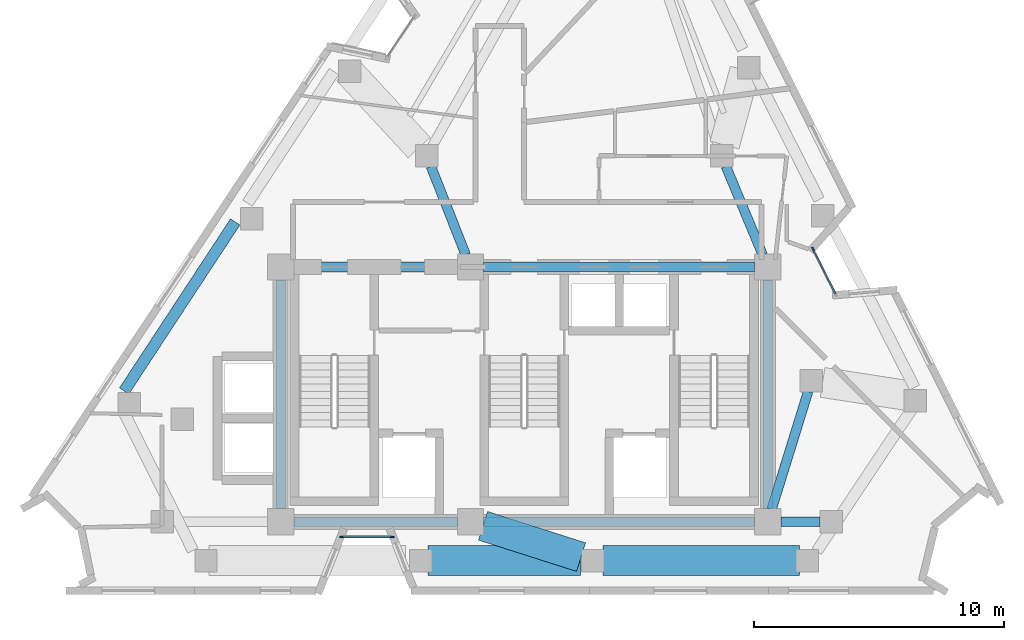
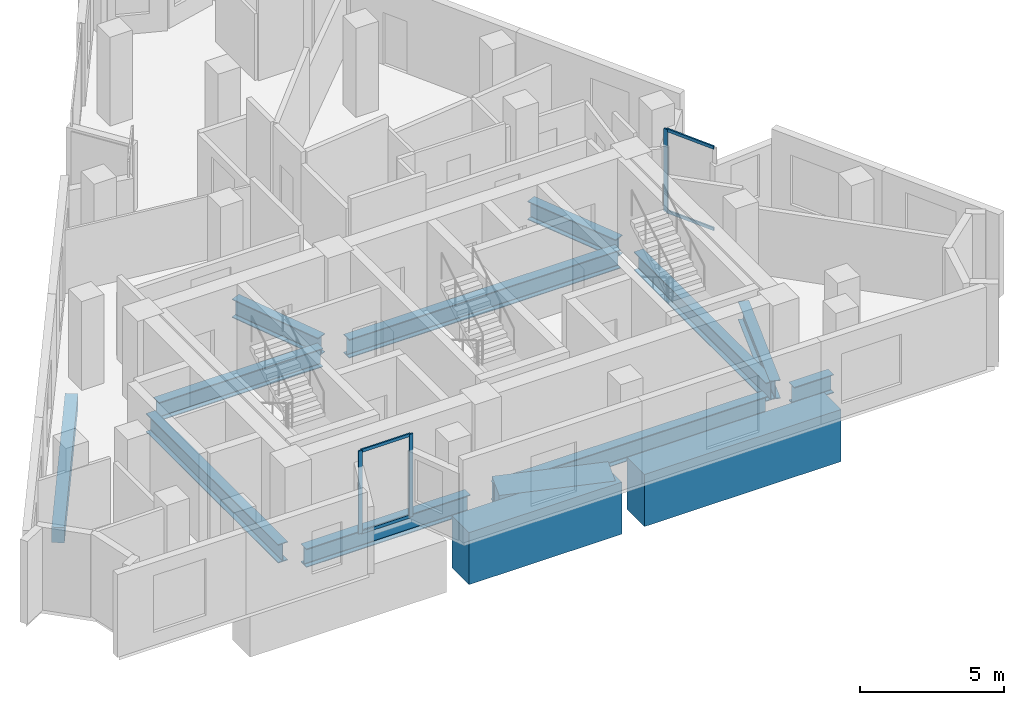
# One storey, part 2 of 9: 14 beams, 7 members, 2 elements without a shape of their own.
"""IFC4 building model written with IfcOpenShell, lengths in metres."""

from ifc_helpers import new_model, si_unit, direction, frame, origin, origin_2d, place, context, subcontext, project, spatial, rectangle, i_section, extrude, material, layer, layer_set, material_profile, profile_set, type_object, element, aggregate, save


model = new_model("IFC4")

# Units and contexts
model_context = context("Model", 3, precision=1e-05, world=origin(), true_north=direction((0.0, 1.0)))
body_context = subcontext(model_context, "Body", "Model", "MODEL_VIEW")
ifc_project = project(units=[si_unit("LENGTHUNIT", "METRE"), si_unit("AREAUNIT", "SQUARE_METRE"), si_unit("VOLUMEUNIT", "CUBIC_METRE"), si_unit("PLANEANGLEUNIT", "RADIAN"), si_unit("MASSUNIT", "GRAM", prefix="KILO")], contexts=[model_context])

# Site, building, storey
site_placement = place(None, origin())
site = spatial("IfcSite", under=ifc_project, at=site_placement, CompositionType="ELEMENT")
building_placement = place(site_placement, origin())
building = spatial("IfcBuilding", under=site, at=building_placement, Name="Almagre Mirador Tower", CompositionType="ELEMENT")
storey_placement = place(building_placement, frame((0.0, 0.0, 252.0)))
storey = spatial("IfcBuildingStorey", under=building, at=storey_placement, Name="L65", CompositionType="ELEMENT", Elevation=252.0)

# Beams
ifc_material_1 = material(Name="Precast concrete C50/60", Category="concrete")
ifc_material_profile_1 = material_profile(ifc_material_1, rectangle(XDim=0.449951171875, YDim=0.64990234375, at=origin_2d()), Name="RC450X650")
ifc_profile_set_1 = profile_set([ifc_material_profile_1], Name="Precast concrete C50/60")
beam_type_1 = type_object("IfcBeamType", Name="BM-SPN-RC450X650", PredefinedType="SPANDREL", material=ifc_profile_set_1)
beam_1_placement = place(storey_placement, frame((25.72998046875, 16.556884765625, -0.574951171875), z_axis=(-0.54903769876, -0.835797586345, 0.0), x_axis=(0.835797586345, -0.54903769876, 0.0)))
element("IfcBeam", 1, at=beam_1_placement, inside=storey, type_object=beam_type_1, Name="L65 perimeter spandrel beam PC11-PC12", PredefinedType="SPANDREL", context=body_context, shape_type="SweptSolid", body=[
    extrude(rectangle(XDim=0.449951171875, YDim=0.64990234375, at=origin_2d()), origin(), (0.0, 0.0, 1.0), 8.097412109375),
])
ifc_material_2 = material(Name="Steel ASTM A992 Grade 50", Category="steel")
ifc_material_profile_2 = material_profile(ifc_material_2, i_section(OverallWidth=0.384033203125, OverallDepth=0.784912109375, WebThickness=0.019775390625, FlangeThickness=0.033447265625, FilletRadius=0.02392578125, at=origin_2d()), Name="W30X211")
ifc_profile_set_2 = profile_set([ifc_material_profile_2], Name="Steel ASTM A992 Grade 50")
beam_type_2 = type_object("IfcBeamType", Name="BM-STL-W30X211", PredefinedType="BEAM", material=ifc_profile_set_2)
beam_2_placement = place(storey_placement, frame((28.074951171875, 4.550048828125, -0.642578125), z_axis=(1.0, 0.0, 0.0), x_axis=(0.0, 1.0, 0.0)))
element("IfcBeam", 2, at=beam_2_placement, inside=storey, type_object=beam_type_2, Name="L65 core tie girder CC1-CC2", PredefinedType="BEAM", context=body_context, shape_type="SweptSolid", body=[
    extrude(i_section(OverallWidth=0.384033203125, OverallDepth=0.784912109375, WebThickness=0.019775390625, FlangeThickness=0.033447265625, FilletRadius=0.02392578125, at=origin_2d()), origin(), (0.0, 0.0, 1.0), 6.550048828125),
])
beam_3_placement = place(storey_placement, frame((35.675048828125, 4.550048828125, -0.642578125), z_axis=(1.0, 0.0, 0.0), x_axis=(0.0, 1.0, 0.0)))
element("IfcBeam", 3, at=beam_3_placement, inside=storey, type_object=beam_type_2, Name="L65 core tie girder CC2-CC3", PredefinedType="BEAM", context=body_context, shape_type="SweptSolid", body=[
    extrude(i_section(OverallWidth=0.384033203125, OverallDepth=0.784912109375, WebThickness=0.019775390625, FlangeThickness=0.033447265625, FilletRadius=0.02392578125, at=origin_2d()), origin(), (0.0, 0.0, 1.0), 10.849853515625),
])
beam_4_placement = place(storey_placement, frame((28.074951171875, 14.75, -0.642578125), z_axis=(1.0, 0.0, 0.0), x_axis=(0.0, 1.0, 0.0)))
element("IfcBeam", 4, at=beam_4_placement, inside=storey, type_object=beam_type_2, Name="L65 core tie girder CC4-CC5", PredefinedType="BEAM", context=body_context, shape_type="SweptSolid", body=[
    extrude(i_section(OverallWidth=0.384033203125, OverallDepth=0.784912109375, WebThickness=0.019775390625, FlangeThickness=0.033447265625, FilletRadius=0.02392578125, at=origin_2d()), origin(), (0.0, 0.0, 1.0), 6.550048828125),
])
beam_5_placement = place(storey_placement, frame((35.675048828125, 14.75, -0.642578125), z_axis=(1.0, 0.0, 0.0), x_axis=(0.0, 1.0, 0.0)))
element("IfcBeam", 5, at=beam_5_placement, inside=storey, type_object=beam_type_2, Name="L65 core tie girder CC5-CC6", PredefinedType="BEAM", context=body_context, shape_type="SweptSolid", body=[
    extrude(i_section(OverallWidth=0.384033203125, OverallDepth=0.784912109375, WebThickness=0.019775390625, FlangeThickness=0.033447265625, FilletRadius=0.02392578125, at=origin_2d()), origin(), (0.0, 0.0, 1.0), 10.849853515625),
])
for number, where, z_axis, x_axis, name in (
    (6, (27.550048828125, 5.074951171875, -0.642578125), (0.0, 1.0, 0.0), (-1.0, 0.0, 0.0), "L65 core tie girder CC1-CC4"),
    (7, (47.050048828125, 5.074951171875, -0.642578125), (0.0, 1.0, 0.0), (-1.0, 0.0, 0.0), "L65 core tie girder CC3-CC6"),
):
    element("IfcBeam", number, at=place(storey_placement, frame(where, z_axis=z_axis, x_axis=x_axis)), inside=storey, type_object=beam_type_2, Name=name, PredefinedType="BEAM", context=body_context, shape_type="SweptSolid", body=[
        extrude(i_section(OverallWidth=0.384033203125, OverallDepth=0.784912109375, WebThickness=0.019775390625, FlangeThickness=0.033447265625, FilletRadius=0.02392578125, at=origin_2d()), origin(), (0.0, 0.0, 1.0), 9.150146484375),
    ])
beam_6_placement = place(storey_placement, frame((49.14990234375, 4.550048828125, -0.642578125), z_axis=(-1.0, 0.0, 0.0), x_axis=(0.0, -1.0, 0.0)))
element("IfcBeam", 8, at=beam_6_placement, inside=storey, type_object=beam_type_2, Name="L65 core tie girder MC2-CC3", PredefinedType="BEAM", context=body_context, shape_type="SweptSolid", body=[
    extrude(i_section(OverallWidth=0.384033203125, OverallDepth=0.784912109375, WebThickness=0.019775390625, FlangeThickness=0.033447265625, FilletRadius=0.02392578125, at=origin_2d()), origin(), (0.0, 0.0, 1.0), 1.574951171875),
])
beam_7_placement = place(storey_placement, frame((48.6669921875, 9.77001953125, -0.642578125), z_axis=(-0.295901717967, -0.955218390372, 0.0), x_axis=(0.955218390372, -0.295901717967, 0.0)))
element("IfcBeam", 9, at=beam_7_placement, inside=storey, type_object=beam_type_2, Name="L65 core tie girder MC3-CC3", PredefinedType="BEAM", context=body_context, shape_type="SweptSolid", body=[
    extrude(i_section(OverallWidth=0.384033203125, OverallDepth=0.784912109375, WebThickness=0.019775390625, FlangeThickness=0.033447265625, FilletRadius=0.02392578125, at=origin_2d()), origin(), (0.0, 0.0, 1.0), 4.939697265625),
])
beam_8_placement = place(storey_placement, frame((45.372802734375, 18.784423828125, -0.642578125), z_axis=(0.383862140668, -0.923390414159, 0.0), x_axis=(0.923390414159, 0.383862140668, 0.0)))
element("IfcBeam", 10, at=beam_8_placement, inside=storey, type_object=beam_type_2, Name="L65 core tie girder MC5-CC6", PredefinedType="BEAM", context=body_context, shape_type="SweptSolid", body=[
    extrude(i_section(OverallWidth=0.384033203125, OverallDepth=0.784912109375, WebThickness=0.019775390625, FlangeThickness=0.033447265625, FilletRadius=0.02392578125, at=origin_2d()), origin(), (0.0, 0.0, 1.0), 3.843994140625),
])
beam_9_placement = place(storey_placement, frame((33.564697265625, 18.78125, -0.642578125), z_axis=(0.365999579355, -0.93061501595, 0.0), x_axis=(0.93061501595, 0.365999579355, 0.0)))
element("IfcBeam", 11, at=beam_9_placement, inside=storey, type_object=beam_type_2, Name="L65 core tie girder MC8-CC5", PredefinedType="BEAM", context=body_context, shape_type="SweptSolid", body=[
    extrude(i_section(OverallWidth=0.384033203125, OverallDepth=0.784912109375, WebThickness=0.019775390625, FlangeThickness=0.033447265625, FilletRadius=0.02392578125, at=origin_2d()), origin(), (0.0, 0.0, 1.0), 3.806884765625),
])
ifc_material_3 = material(Name="Concrete C60/75", Category="concrete")
ifc_material_profile_3 = material_profile(ifc_material_3, rectangle(XDim=1.199951171875, YDim=2.199951171875, at=origin_2d()), Name="RC1200X2200")
ifc_profile_set_3 = profile_set([ifc_material_profile_3], Name="Concrete C60/75")
beam_type_3 = type_object("IfcBeamType", Name="BM-XFER-RC1200X2200", PredefinedType="BEAM", material=ifc_profile_set_3)
beam_10_placement = place(storey_placement, frame((33.446044921875, 3.0, -1.35009765625), z_axis=(1.0, 0.0, 0.0), x_axis=(0.0, 1.0, 0.0)))
element("IfcBeam", 12, at=beam_10_placement, inside=storey, type_object=beam_type_3, Name="L65 perimeter spandrel beam PC02-PC03", PredefinedType="BEAM", context=body_context, shape_type="SweptSolid", body=[
    extrude(rectangle(XDim=1.199951171875, YDim=2.199951171875, at=origin_2d()), origin(), (0.0, 0.0, 1.0), 6.10791015625),
])
beam_11_placement = place(storey_placement, frame((40.4541015625, 3.0, -1.35009765625), z_axis=(1.0, 0.0, 0.0), x_axis=(0.0, 1.0, 0.0)))
element("IfcBeam", 13, at=beam_11_placement, inside=storey, type_object=beam_type_3, Name="L65 perimeter spandrel beam PC03-PC04", PredefinedType="BEAM", context=body_context, shape_type="SweptSolid", body=[
    extrude(rectangle(XDim=1.199951171875, YDim=2.199951171875, at=origin_2d()), origin(), (0.0, 0.0, 1.0), 7.85986328125),
])
beam_12_placement = place(storey_placement, frame((39.5751953125, 3.136962890625, -1.35009765625), z_axis=(-0.952606979741, 0.304203783914, 0.0), x_axis=(-0.304203783914, -0.952606979741, 0.0)))
element("IfcBeam", 14, at=beam_12_placement, inside=storey, type_object=beam_type_3, Name="L65 radial transfer girder PC03-CC2", PredefinedType="BEAM", context=body_context, shape_type="SweptSolid", body=[
    extrude(rectangle(XDim=1.199951171875, YDim=2.199951171875, at=origin_2d()), origin(), (0.0, 0.0, 1.0), 4.120361328125),
])

# Curtain wall, member
ifc_material_4 = material(Name="Black anodized aluminium", Category="aluminium")
ifc_layer = layer(ifc_material_4, 0.169921875)
ifc_layer_set = layer_set([ifc_layer], Name="Black anodized aluminium")
curtain_wall_type = type_object("IfcCurtainWallType", Name="CW-CRS-SYS", PredefinedType="NOTDEFINED", material=ifc_layer_set)
curtain_wall_1_placement = place(storey_placement, origin())
curtain_wall_1 = element("IfcCurtainWall", 15, at=curtain_wall_1_placement, inside=storey, type_object=curtain_wall_type, Name="L65 vertical crease curtain wall 03", PredefinedType="NOTDEFINED")
ifc_material_5 = material(Name="Black anodized aluminium", Category="aluminium")
ifc_material_profile_4 = material_profile(ifc_material_5, rectangle(XDim=0.06005859375, YDim=0.14990234375, at=origin_2d()), Name="CWM60X150")
ifc_profile_set_4 = profile_set([ifc_material_profile_4], Name="Black anodized aluminium")
member_type_1 = type_object("IfcMemberType", Name="MBR-CWM60X150", PredefinedType="MULLION", material=ifc_profile_set_4)
member_1_placement = place(storey_placement, frame((48.8603515625, 15.47119140625, 0.0), z_axis=(0.0, 0.0, 1.0), x_axis=(0.894331468918, 0.447404988464, 0.0)))
member_1 = element("IfcMember", 16, at=member_1_placement, type_object=member_type_1, Name="CW-4 mullion 1", PredefinedType="MULLION", context=body_context, shape_type="SweptSolid", body=[
    extrude(rectangle(XDim=0.06005859375, YDim=0.14990234375, at=origin_2d()), origin(), (0.0, 0.0, 1.0), 3.5),
])

# Curtain wall, members
curtain_wall_2_placement = place(storey_placement, origin())
curtain_wall_2 = element("IfcCurtainWall", 17, at=curtain_wall_2_placement, inside=storey, type_object=curtain_wall_type, Name="L65 vertical crease curtain wall 04", PredefinedType="NOTDEFINED")
member_2_placement = place(storey_placement, frame((32.014892578125, 3.949951171875, 0.0), z_axis=(0.0, 0.0, 1.0), x_axis=(0.0, -1.0, 0.0)))
member_2 = element("IfcMember", 18, at=member_2_placement, type_object=member_type_1, Name="CW-4 mullion 1", PredefinedType="MULLION", context=body_context, shape_type="SweptSolid", body=[
    extrude(rectangle(XDim=0.06005859375, YDim=0.14990234375, at=origin_2d()), origin(), (0.0, 0.0, 1.0), 3.5),
])
member_3_placement = place(storey_placement, frame((29.985107421875, 3.949951171875, 0.0), z_axis=(0.0, 0.0, 1.0), x_axis=(0.0, -1.0, 0.0)))
member_3 = element("IfcMember", 19, at=member_3_placement, type_object=member_type_1, Name="CW-4 mullion 2", PredefinedType="MULLION", context=body_context, shape_type="SweptSolid", body=[
    extrude(rectangle(XDim=0.06005859375, YDim=0.14990234375, at=origin_2d()), origin(), (0.0, 0.0, 1.0), 3.5),
])

# Member
ifc_material_6 = material(Name="Black anodized aluminium", Category="aluminium")
ifc_material_profile_5 = material_profile(ifc_material_6, rectangle(XDim=0.06005859375, YDim=0.1298828125, at=origin_2d()), Name="CWT60X130")
ifc_profile_set_5 = profile_set([ifc_material_profile_5], Name="Black anodized aluminium")
member_type_2 = type_object("IfcMemberType", Name="MBR-CWT60X130", PredefinedType="USERDEFINED", material=ifc_profile_set_5)
member_4_placement = place(storey_placement, frame((48.873779296875, 15.4443359375, 0.030029296875), z_axis=(0.447411883405, -0.89432801957, 0.0), x_axis=(0.89432801957, 0.447411883405, 0.0)))
member_4 = element("IfcMember", 20, at=member_4_placement, type_object=member_type_2, Name="CW-4 transom 1.1", ObjectType="TRANSOM", PredefinedType="USERDEFINED", context=body_context, shape_type="SweptSolid", body=[
    extrude(rectangle(XDim=0.06005859375, YDim=0.1298828125, at=origin_2d()), origin(), (0.0, 0.0, 1.0), 1.969970703125),
])

member_5_placement = place(storey_placement, frame((48.873779296875, 15.4443359375, 3.469970703125), z_axis=(0.447411883405, -0.89432801957, 0.0), x_axis=(0.89432801957, 0.447411883405, 0.0)))
member_5 = element("IfcMember", 21, at=member_5_placement, type_object=member_type_2, Name="CW-4 transom 1.2", ObjectType="TRANSOM", PredefinedType="USERDEFINED", context=body_context, shape_type="SweptSolid", body=[
    extrude(rectangle(XDim=0.06005859375, YDim=0.1298828125, at=origin_2d()), origin(), (0.0, 0.0, 1.0), 1.969970703125),
])

aggregate(curtain_wall_1, [member_1, member_4, member_5])

member_6_placement = place(storey_placement, frame((31.985107421875, 3.949951171875, 0.030029296875), z_axis=(-1.0, 0.0, 0.0), x_axis=(0.0, -1.0, 0.0)))
member_6 = element("IfcMember", 22, at=member_6_placement, type_object=member_type_2, Name="CW-4 transom 1.1", ObjectType="TRANSOM", PredefinedType="USERDEFINED", context=body_context, shape_type="SweptSolid", body=[
    extrude(rectangle(XDim=0.06005859375, YDim=0.1298828125, at=origin_2d()), origin(), (0.0, 0.0, 1.0), 1.97021484375),
])

member_7_placement = place(storey_placement, frame((31.985107421875, 3.949951171875, 3.469970703125), z_axis=(-1.0, 0.0, 0.0), x_axis=(0.0, -1.0, 0.0)))
member_7 = element("IfcMember", 23, at=member_7_placement, type_object=member_type_2, Name="CW-4 transom 1.2", ObjectType="TRANSOM", PredefinedType="USERDEFINED", context=body_context, shape_type="SweptSolid", body=[
    extrude(rectangle(XDim=0.06005859375, YDim=0.1298828125, at=origin_2d()), origin(), (0.0, 0.0, 1.0), 1.97021484375),
])

aggregate(curtain_wall_2, [member_2, member_3, member_6, member_7])

save(model, "model.ifc")
